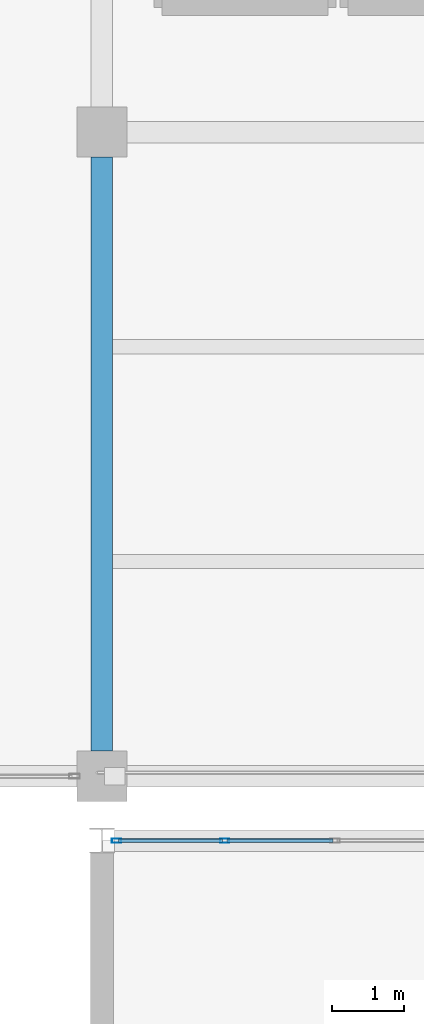
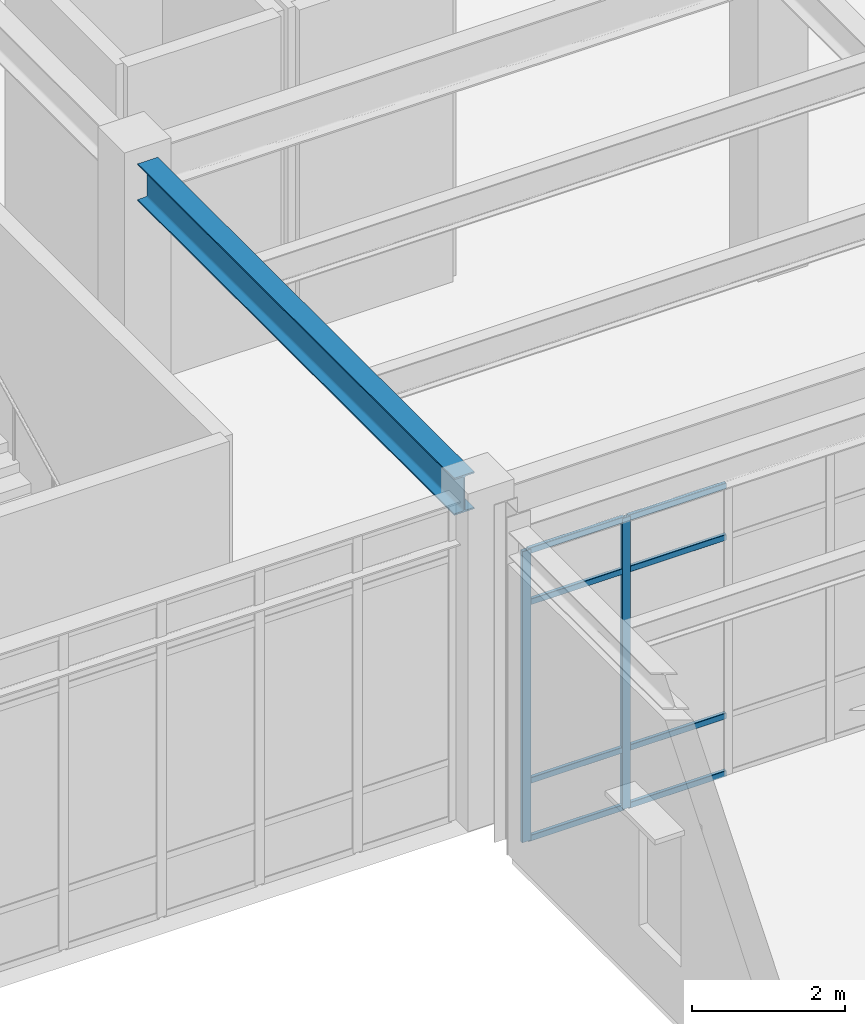
# One storey, part 11 of 80: 10 members, 1 beam, 1 element without a shape of its own.
"""IFC4 building model written with IfcOpenShell, lengths in metres."""

from ifc_helpers import new_model, si_unit, direction, frame, origin, origin_2d, place, context, subcontext, project, spatial, hollow_rectangle, i_section, extrude, material, material_profile, profile_set, type_object, element, aggregate, save


model = new_model("IFC4")

# Units and contexts
model_context = context("Model", 3, precision=1e-05, world=origin(), true_north=direction((0.0, 1.0)))
body_context = subcontext(model_context, "Body", "Model", "MODEL_VIEW")
ifc_project = project(units=[si_unit("LENGTHUNIT", "METRE"), si_unit("AREAUNIT", "SQUARE_METRE"), si_unit("VOLUMEUNIT", "CUBIC_METRE"), si_unit("PLANEANGLEUNIT", "RADIAN"), si_unit("MASSUNIT", "GRAM", prefix="KILO")], contexts=[model_context])

# Site, building, storey
site_placement = place(None, origin())
site = spatial("IfcSite", under=ifc_project, at=site_placement, CompositionType="ELEMENT")
building_placement = place(site_placement, origin())
building = spatial("IfcBuilding", under=site, at=building_placement, Name="Canglan Escarpment Cableway Terminal", CompositionType="ELEMENT")
storey_placement = place(building_placement, frame((0.0, 0.0, 19.199951171875)))
storey = spatial("IfcBuildingStorey", under=building, at=storey_placement, Name="L04", CompositionType="ELEMENT", Elevation=19.199951171875)

# Beam
ifc_material_1 = material(Name="Steel Q355C", Category="steel")
ifc_material_profile_1 = material_profile(ifc_material_1, i_section(OverallWidth=0.302001953125, OverallDepth=0.593994140625, WebThickness=0.013916015625, FlangeThickness=0.02294921875, FilletRadius=0.028076171875, at=origin_2d()), Name="HM 594x302x14x23")
ifc_profile_set_1 = profile_set([ifc_material_profile_1], Name="Steel Q355C")
beam_type = type_object("IfcBeamType", Name="BM-HM594", PredefinedType="BEAM", material=ifc_profile_set_1)
beam_placement = place(storey_placement, frame((147.199951171875, 34.35009765625, 4.863037109375), z_axis=(0.0, 1.0, 0.0), x_axis=(-1.0, 0.0, 0.0)))
element("IfcBeam", 1, at=beam_placement, inside=storey, type_object=beam_type, Name="Primary transverse girder B-07", PredefinedType="BEAM", context=body_context, shape_type="SweptSolid", body=[
    extrude(i_section(OverallWidth=0.302001953125, OverallDepth=0.593994140625, WebThickness=0.013916015625, FlangeThickness=0.02294921875, FilletRadius=0.028076171875, at=origin_2d()), origin(), (0.0, 0.0, 1.0), 8.2998046875),
])

# Curtain wall, members
ifc_material_2 = material(Name="Anodized bronze aluminium and Low-E double glazing", Category="aluminium")
curtain_wall_type = type_object("IfcCurtainWallType", Name="CW-BAY-9250x4650", PredefinedType="NOTDEFINED", material=ifc_material_2)
curtain_wall_placement = place(storey_placement, origin())
curtain_wall = element("IfcCurtainWall", 2, at=curtain_wall_placement, inside=storey, type_object=curtain_wall_type, Name="Classical bay-between-piers glazed curtain wall CW-36", PredefinedType="NOTDEFINED")
ifc_material_3 = material(Name="Thermally broken anodized aluminium 6063-T6", Category="aluminium")
ifc_material_profile_2 = material_profile(ifc_material_3, hollow_rectangle(XDim=0.06005859375, YDim=0.1298828125, WallThickness=0.0029296875, InnerFilletRadius=0.0029296875, OuterFilletRadius=0.006103515625, at=origin_2d()), Name="ALU-MULL 60x130x3")
ifc_profile_set_2 = profile_set([ifc_material_profile_2], Name="Thermally broken anodized aluminium 6063-T6")
member_type_1 = type_object("IfcMemberType", Name="CWM-01", PredefinedType="MULLION", material=ifc_profile_set_2)
member_1_placement = place(storey_placement, frame((148.916748046875, 33.10009765625, 0.0), z_axis=(0.0, 0.0, 1.0), x_axis=(0.0, -1.0, 0.0)))
member_1 = element("IfcMember", 3, at=member_1_placement, type_object=member_type_1, Name="CW-36 mullion 6", PredefinedType="MULLION", context=body_context, shape_type="SweptSolid", body=[
    extrude(hollow_rectangle(XDim=0.06005859375, YDim=0.1298828125, WallThickness=0.0029296875, InnerFilletRadius=0.0029296875, OuterFilletRadius=0.006103515625, at=origin_2d()), origin(), (0.0, 0.0, 1.0), 4.656982421875),
])
member_2_placement = place(storey_placement, frame((147.405029296875, 33.10009765625, 0.0), z_axis=(0.0, 0.0, 1.0), x_axis=(0.0, -1.0, 0.0)))
member_2 = element("IfcMember", 4, at=member_2_placement, type_object=member_type_1, Name="CW-36 mullion 7", PredefinedType="MULLION", context=body_context, shape_type="SweptSolid", body=[
    extrude(hollow_rectangle(XDim=0.06005859375, YDim=0.1298828125, WallThickness=0.0029296875, InnerFilletRadius=0.0029296875, OuterFilletRadius=0.006103515625, at=origin_2d()), origin(), (0.0, 0.0, 1.0), 4.656982421875),
])
ifc_material_profile_3 = material_profile(ifc_material_3, hollow_rectangle(XDim=0.054931640625, YDim=0.094970703125, WallThickness=0.0029296875, InnerFilletRadius=0.0029296875, OuterFilletRadius=0.006103515625, at=origin_2d()), Name="ALU-TRAN 55x95x3")
ifc_profile_set_3 = profile_set([ifc_material_profile_3], Name="Thermally broken anodized aluminium 6063-T6")
member_type_2 = type_object("IfcMemberType", Name="CWT-01", PredefinedType="USERDEFINED", material=ifc_profile_set_3)
member_3_placement = place(storey_placement, frame((150.42822265625, 33.10009765625, 0.027587890625), z_axis=(-1.0, 0.0, 0.0), x_axis=(0.0, -1.0, 0.0)))
member_3 = element("IfcMember", 5, at=member_3_placement, type_object=member_type_2, Name="CW-36 transom 5.1", ObjectType="TRANSOM", PredefinedType="USERDEFINED", context=body_context, shape_type="SweptSolid", body=[
    extrude(hollow_rectangle(XDim=0.054931640625, YDim=0.094970703125, WallThickness=0.0029296875, InnerFilletRadius=0.0029296875, OuterFilletRadius=0.006103515625, at=origin_2d()), origin(), (0.0, 0.0, 1.0), 1.4814453125),
])
member_4_placement = place(storey_placement, frame((150.42822265625, 33.10009765625, 0.949951171875), z_axis=(-1.0, 0.0, 0.0), x_axis=(0.0, -1.0, 0.0)))
member_4 = element("IfcMember", 6, at=member_4_placement, type_object=member_type_2, Name="CW-36 transom 5.2", ObjectType="TRANSOM", PredefinedType="USERDEFINED", context=body_context, shape_type="SweptSolid", body=[
    extrude(hollow_rectangle(XDim=0.054931640625, YDim=0.094970703125, WallThickness=0.0029296875, InnerFilletRadius=0.0029296875, OuterFilletRadius=0.006103515625, at=origin_2d()), origin(), (0.0, 0.0, 1.0), 1.4814453125),
])
member_5_placement = place(storey_placement, frame((150.42822265625, 33.10009765625, 3.80712890625), z_axis=(-1.0, 0.0, 0.0), x_axis=(0.0, -1.0, 0.0)))
member_5 = element("IfcMember", 7, at=member_5_placement, type_object=member_type_2, Name="CW-36 transom 5.3", ObjectType="TRANSOM", PredefinedType="USERDEFINED", context=body_context, shape_type="SweptSolid", body=[
    extrude(hollow_rectangle(XDim=0.054931640625, YDim=0.094970703125, WallThickness=0.0029296875, InnerFilletRadius=0.0029296875, OuterFilletRadius=0.006103515625, at=origin_2d()), origin(), (0.0, 0.0, 1.0), 1.4814453125),
])
member_6_placement = place(storey_placement, frame((150.42822265625, 33.10009765625, 4.629638671875), z_axis=(-1.0, 0.0, 0.0), x_axis=(0.0, -1.0, 0.0)))
member_6 = element("IfcMember", 8, at=member_6_placement, type_object=member_type_2, Name="CW-36 transom 5.4", ObjectType="TRANSOM", PredefinedType="USERDEFINED", context=body_context, shape_type="SweptSolid", body=[
    extrude(hollow_rectangle(XDim=0.054931640625, YDim=0.094970703125, WallThickness=0.0029296875, InnerFilletRadius=0.0029296875, OuterFilletRadius=0.006103515625, at=origin_2d()), origin(), (0.0, 0.0, 1.0), 1.4814453125),
])
member_7_placement = place(storey_placement, frame((148.88671875, 33.10009765625, 0.027587890625), z_axis=(-1.0, 0.0, 0.0), x_axis=(0.0, -1.0, 0.0)))
member_7 = element("IfcMember", 9, at=member_7_placement, type_object=member_type_2, Name="CW-36 transom 6.1", ObjectType="TRANSOM", PredefinedType="USERDEFINED", context=body_context, shape_type="SweptSolid", body=[
    extrude(hollow_rectangle(XDim=0.054931640625, YDim=0.094970703125, WallThickness=0.0029296875, InnerFilletRadius=0.0029296875, OuterFilletRadius=0.006103515625, at=origin_2d()), origin(), (0.0, 0.0, 1.0), 1.45166015625),
])
member_8_placement = place(storey_placement, frame((148.88671875, 33.10009765625, 0.949951171875), z_axis=(-1.0, 0.0, 0.0), x_axis=(0.0, -1.0, 0.0)))
member_8 = element("IfcMember", 10, at=member_8_placement, type_object=member_type_2, Name="CW-36 transom 6.2", ObjectType="TRANSOM", PredefinedType="USERDEFINED", context=body_context, shape_type="SweptSolid", body=[
    extrude(hollow_rectangle(XDim=0.054931640625, YDim=0.094970703125, WallThickness=0.0029296875, InnerFilletRadius=0.0029296875, OuterFilletRadius=0.006103515625, at=origin_2d()), origin(), (0.0, 0.0, 1.0), 1.45166015625),
])
member_9_placement = place(storey_placement, frame((148.88671875, 33.10009765625, 3.80712890625), z_axis=(-1.0, 0.0, 0.0), x_axis=(0.0, -1.0, 0.0)))
member_9 = element("IfcMember", 11, at=member_9_placement, type_object=member_type_2, Name="CW-36 transom 6.3", ObjectType="TRANSOM", PredefinedType="USERDEFINED", context=body_context, shape_type="SweptSolid", body=[
    extrude(hollow_rectangle(XDim=0.054931640625, YDim=0.094970703125, WallThickness=0.0029296875, InnerFilletRadius=0.0029296875, OuterFilletRadius=0.006103515625, at=origin_2d()), origin(), (0.0, 0.0, 1.0), 1.45166015625),
])
member_10_placement = place(storey_placement, frame((148.88671875, 33.10009765625, 4.629638671875), z_axis=(-1.0, 0.0, 0.0), x_axis=(0.0, -1.0, 0.0)))
member_10 = element("IfcMember", 12, at=member_10_placement, type_object=member_type_2, Name="CW-36 transom 6.4", ObjectType="TRANSOM", PredefinedType="USERDEFINED", context=body_context, shape_type="SweptSolid", body=[
    extrude(hollow_rectangle(XDim=0.054931640625, YDim=0.094970703125, WallThickness=0.0029296875, InnerFilletRadius=0.0029296875, OuterFilletRadius=0.006103515625, at=origin_2d()), origin(), (0.0, 0.0, 1.0), 1.45166015625),
])
aggregate(curtain_wall, [member_1, member_2, member_3, member_4, member_5, member_6, member_7, member_8, member_9, member_10])

save(model, "model.ifc")
